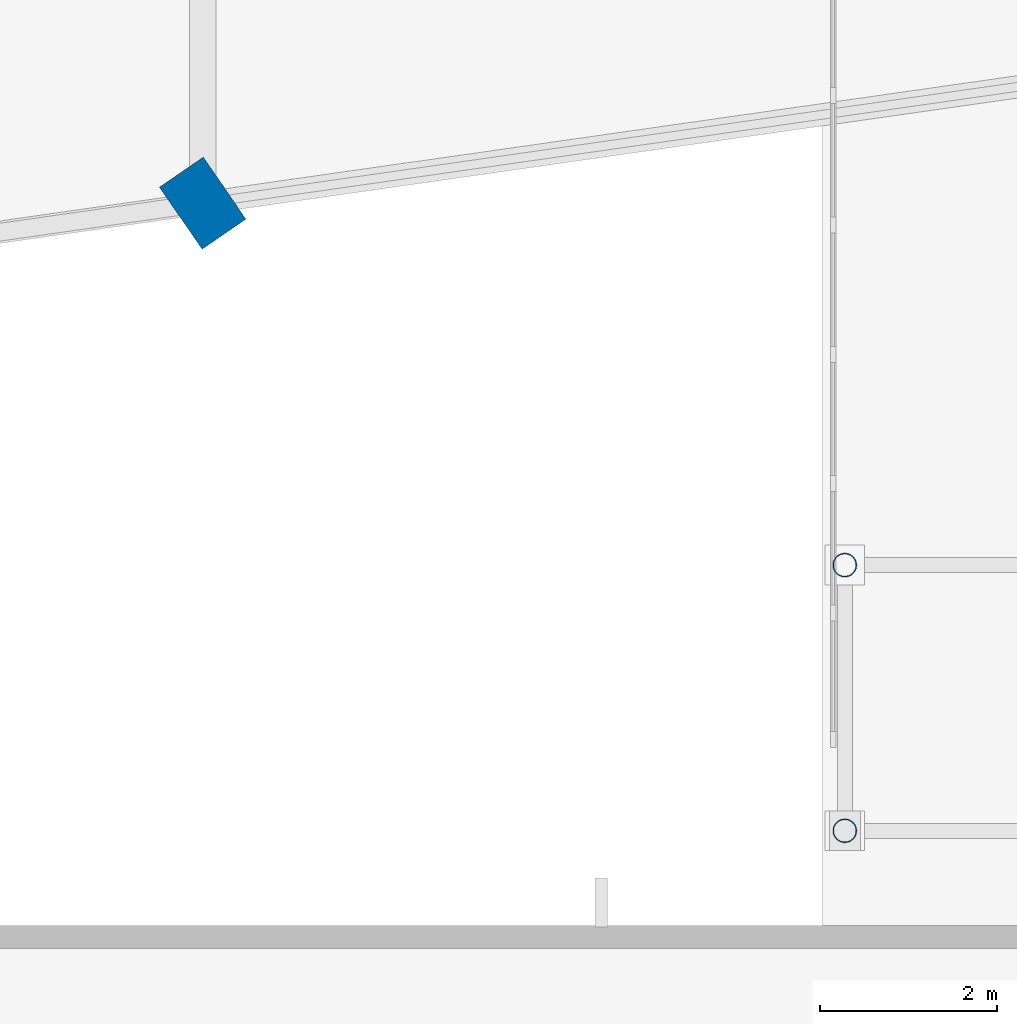
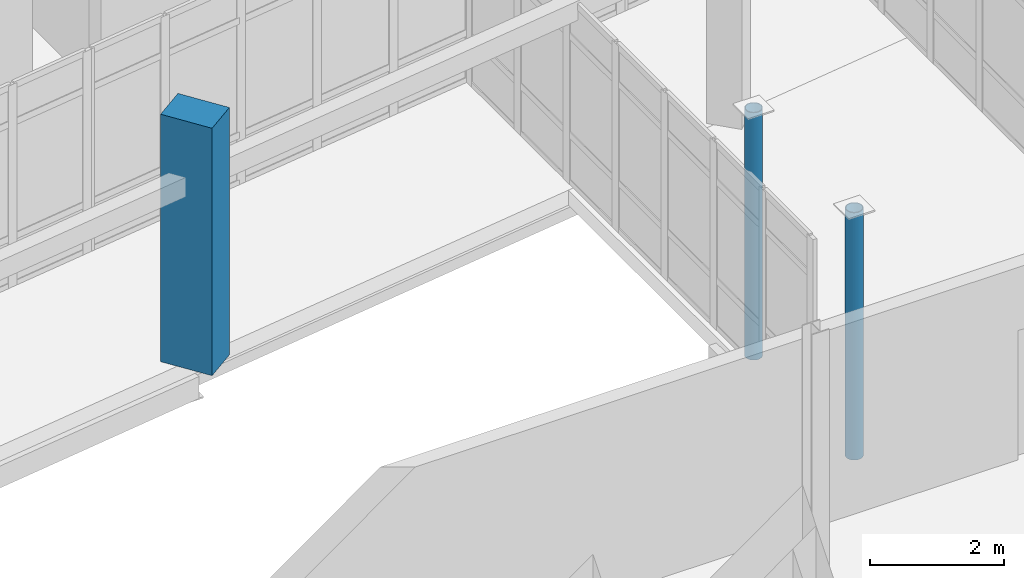
# One storey, part 6 of 122: 3 columns.
"""IFC4 building model written with IfcOpenShell, lengths in metres."""

from ifc_helpers import new_model, si_unit, direction, frame, origin, origin_2d, place, context, subcontext, project, spatial, rectangle, hollow_circle, extrude, material, material_profile, profile_set, type_object, element, save


model = new_model("IFC4")

# Units and contexts
model_context = context("Model", 3, precision=1e-05, world=origin(), true_north=direction((0.0, 1.0)))
body_context = subcontext(model_context, "Body", "Model", "MODEL_VIEW")
ifc_project = project(units=[si_unit("LENGTHUNIT", "METRE"), si_unit("AREAUNIT", "SQUARE_METRE"), si_unit("VOLUMEUNIT", "CUBIC_METRE"), si_unit("PLANEANGLEUNIT", "RADIAN"), si_unit("MASSUNIT", "GRAM", prefix="KILO")], contexts=[model_context])

# Site, building, storey
site_placement = place(None, origin())
site = spatial("IfcSite", under=ifc_project, at=site_placement, CompositionType="ELEMENT")
building_placement = place(site_placement, origin())
building = spatial("IfcBuilding", under=site, at=building_placement, Name="Sohan Crest Arena", CompositionType="ELEMENT")
storey_placement = place(building_placement, origin())
storey = spatial("IfcBuildingStorey", under=building, at=storey_placement, Name="L00", CompositionType="ELEMENT", Elevation=0.0)

# Columns
ifc_material_1 = material(Name="Steel S355", Category="steel")
ifc_material_profile_1 = material_profile(ifc_material_1, hollow_circle(Radius=0.136474609375, WallThickness=0.012451171875, at=origin_2d()), Name="CHS 273x12.5")
ifc_profile_set_1 = profile_set([ifc_material_profile_1], Name="Steel S355")
column_type_1 = type_object("IfcColumnType", Name="STR-COL-C25", PredefinedType="COLUMN", material=ifc_profile_set_1)
for number, where, z_axis, x_axis, name in (
    (1, (135.25, 27.199951171875, 0.0), (0.0, 0.0, 1.0), (1.0, 0.0, 0.0), "Structural column COL-BC-BR-S2-1-L00"),
    (2, (135.25, 30.199951171875, 0.0), (0.0, 0.0, 1.0), (1.0, 0.0, 0.0), "Structural column COL-BC-BR-S2-2-L00"),
):
    element("IfcColumn", number, at=place(storey_placement, frame(where, z_axis=z_axis, x_axis=x_axis)), inside=storey, type_object=column_type_1, Name=name, PredefinedType="COLUMN", context=body_context, shape_type="SweptSolid", body=[
        extrude(hollow_circle(Radius=0.136474609375, WallThickness=0.012451171875, at=origin_2d()), origin(), (0.0, 0.0, 1.0), 4.5),
    ])
ifc_material_2 = material(Name="Concrete C40/50", Category="concrete")
ifc_material_profile_2 = material_profile(ifc_material_2, rectangle(XDim=0.85009765625, YDim=0.60009765625, at=origin_2d()), Name="RC 850x600")
ifc_profile_set_2 = profile_set([ifc_material_profile_2], Name="Concrete C40/50")
column_type_2 = type_object("IfcColumnType", Name="STR-COL-PC04", PredefinedType="PILASTER", material=ifc_profile_set_2)
column_placement = place(storey_placement, frame((128.0, 34.285888671875, 0.0), z_axis=(0.0, 0.0, 1.0), x_axis=(-0.566406236925, 0.824126188622, 0.0)))
element("IfcColumn", 3, at=column_placement, inside=storey, type_object=column_type_2, Name="Structural column COL-V2O-16-L00", PredefinedType="PILASTER", context=body_context, shape_type="SweptSolid", body=[
    extrude(rectangle(XDim=0.85009765625, YDim=0.60009765625, at=origin_2d()), origin(), (0.0, 0.0, 1.0), 4.5),
])

save(model, "model.ifc")
